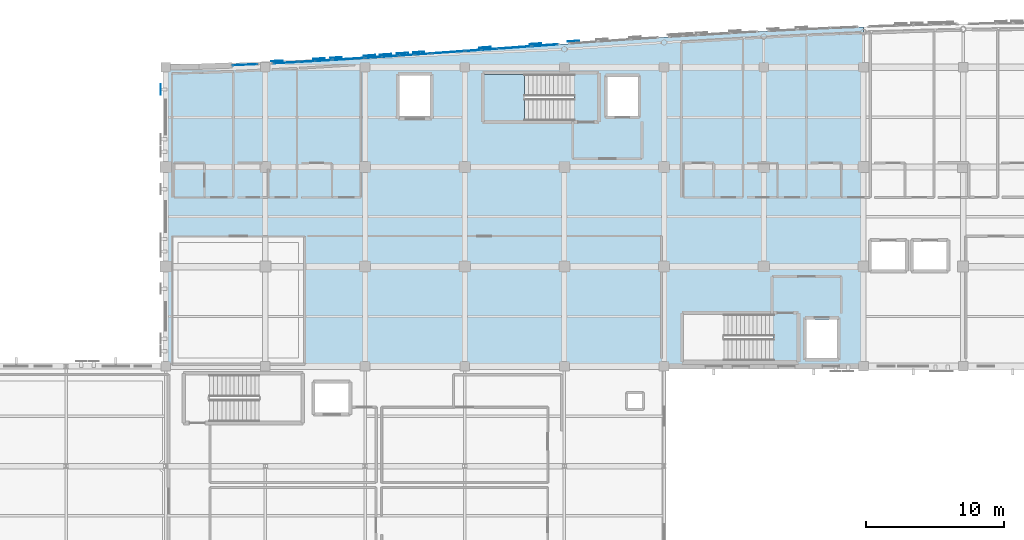
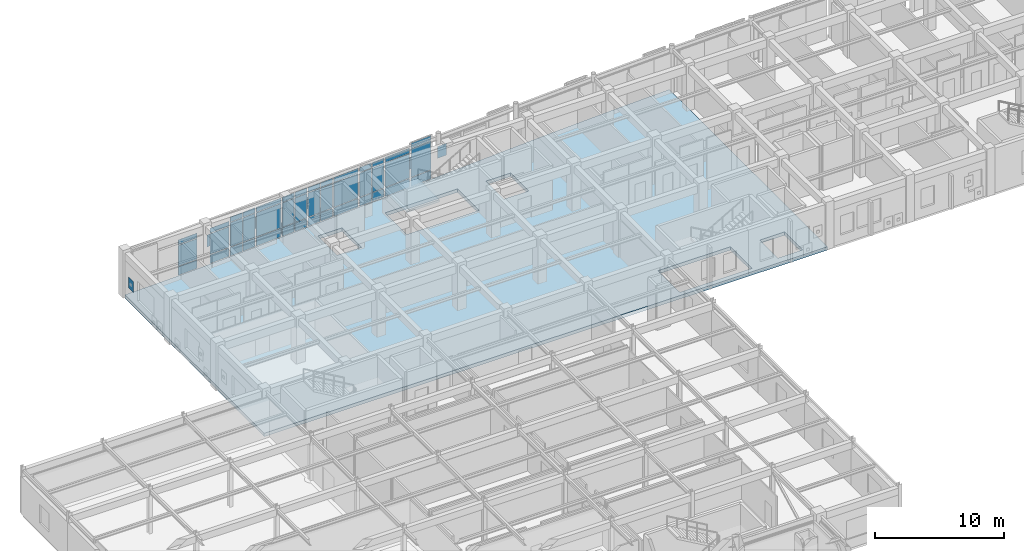
# One storey, part 63 of 106: 53 plates, 2 slabs, 11 elements without a shape of their own.
"""IFC4 building model written with IfcOpenShell, lengths in metres."""

from ifc_helpers import new_model, si_unit, direction, frame, origin, origin_2d, place, context, subcontext, project, spatial, polyline, rectangle, outline, extrude, material, layer, layer_set, type_object, element, aggregate, save


model = new_model("IFC4")

# Units and contexts
model_context = context("Model", 3, precision=1e-05, world=origin(), true_north=direction((0.0, 1.0)))
body_context = subcontext(model_context, "Body", "Model", "MODEL_VIEW")
ifc_project = project(units=[si_unit("LENGTHUNIT", "METRE"), si_unit("AREAUNIT", "SQUARE_METRE"), si_unit("VOLUMEUNIT", "CUBIC_METRE"), si_unit("PLANEANGLEUNIT", "RADIAN"), si_unit("MASSUNIT", "GRAM", prefix="KILO")], contexts=[model_context])

# Site, building, storey
site_placement = place(None, origin())
site = spatial("IfcSite", under=ifc_project, at=site_placement, CompositionType="ELEMENT")
building_placement = place(site_placement, origin())
building = spatial("IfcBuilding", under=site, at=building_placement, Name="Carrowvane Square Congress Hotel", CompositionType="ELEMENT")
storey_placement = place(building_placement, frame((0.0, 0.0, 10.5)))
storey = spatial("IfcBuildingStorey", under=building, at=storey_placement, Name="L02", CompositionType="ELEMENT", Elevation=10.5)

# Curtain wall, plates
ifc_material_1 = material(Name="Anodised aluminium", Category="aluminium")
ifc_layer_1 = layer(ifc_material_1, 0.18603515625)
ifc_layer_set_1 = layer_set([ifc_layer_1], Name="Anodised aluminium")
curtain_wall_type_1 = type_object("IfcCurtainWallType", Name="CW-SYS-3", PredefinedType="NOTDEFINED", material=ifc_layer_set_1)
curtain_wall_1_placement = place(storey_placement, origin())
curtain_wall_1 = element("IfcCurtainWall", 1, at=curtain_wall_1_placement, inside=storey, type_object=curtain_wall_type_1, Name="L02 unitised curtain wall 130", PredefinedType="NOTDEFINED")
ifc_material_2 = material(Name="Double-glazed low-E glass", Category="glass")
ifc_layer_2 = layer(ifc_material_2, 0.028076171875)
ifc_layer_set_2 = layer_set([ifc_layer_2], Name="Double-glazed low-E glass")
plate_type_1 = type_object("IfcPlateType", Name="CW-PAN-1", PredefinedType="CURTAIN_PANEL", material=ifc_layer_set_2)
plate_1_placement = place(storey_placement, frame((38.927734375, 113.584228515625, 0.06005859375), z_axis=(0.0, 0.0, 1.0), x_axis=(0.998917498926, 0.04651698979, 0.0)))
plate_1 = element("IfcPlate", 2, at=plate_1_placement, type_object=plate_type_1, Name="CW-3 panel 1.1", PredefinedType="CURTAIN_PANEL", context=body_context, shape_type="SweptSolid", body=[
    extrude(rectangle(XDim=1.737548828125, YDim=0.028076171875, at=origin_2d()), origin(), (0.0, 0.0, 1.0), 0.81005859375),
])
plate_2_placement = place(storey_placement, frame((38.927734375, 113.584228515625, 0.93017578125), z_axis=(0.0, 0.0, 1.0), x_axis=(0.998917498926, 0.04651698979, 0.0)))
plate_2 = element("IfcPlate", 3, at=plate_2_placement, type_object=plate_type_1, Name="CW-3 panel 1.2", PredefinedType="CURTAIN_PANEL", context=body_context, shape_type="SweptSolid", body=[
    extrude(rectangle(XDim=1.737548828125, YDim=0.028076171875, at=origin_2d()), origin(), (0.0, 0.0, 1.0), 1.945068359375),
])
plate_3_placement = place(storey_placement, frame((38.927734375, 113.584228515625, 2.93505859375), z_axis=(0.0, 0.0, 1.0), x_axis=(0.998917498926, 0.04651698979, 0.0)))
plate_3 = element("IfcPlate", 4, at=plate_3_placement, type_object=plate_type_1, Name="CW-3 panel 1.3", PredefinedType="CURTAIN_PANEL", context=body_context, shape_type="SweptSolid", body=[
    extrude(rectangle(XDim=1.737548828125, YDim=0.028076171875, at=origin_2d()), origin(), (0.0, 0.0, 1.0), 0.4599609375),
])
aggregate(curtain_wall_1, [plate_1, plate_2, plate_3])

ifc_material_3 = material(Name="Anodised aluminium", Category="aluminium")
ifc_layer_3 = layer(ifc_material_3, 0.24609375)
ifc_layer_set_3 = layer_set([ifc_layer_3], Name="Anodised aluminium")
curtain_wall_type_2 = type_object("IfcCurtainWallType", Name="CW-SYS-8", PredefinedType="NOTDEFINED", material=ifc_layer_set_3)
curtain_wall_2_placement = place(storey_placement, origin())
curtain_wall_2 = element("IfcCurtainWall", 5, at=curtain_wall_2_placement, inside=storey, type_object=curtain_wall_type_2, Name="L02 unitised curtain wall 135", PredefinedType="NOTDEFINED")
plate_4_placement = place(storey_placement, frame((50.617431640625, 114.278076171875, 0.070068359375), z_axis=(0.0, 0.0, 1.0), x_axis=(0.997617619706, 0.068986120725, 0.0)))
plate_4 = element("IfcPlate", 6, at=plate_4_placement, type_object=plate_type_1, Name="CW-8 panel 1.1", PredefinedType="CURTAIN_PANEL", context=body_context, shape_type="SweptSolid", body=[
    extrude(rectangle(XDim=1.097900390625, YDim=0.028076171875, at=origin_2d()), origin(), (0.0, 0.0, 1.0), 0.794921875),
])
plate_5_placement = place(storey_placement, frame((50.617431640625, 114.278076171875, 0.93505859375), z_axis=(0.0, 0.0, 1.0), x_axis=(0.997617619706, 0.068986120725, 0.0)))
plate_5 = element("IfcPlate", 7, at=plate_5_placement, type_object=plate_type_1, Name="CW-8 panel 1.2", PredefinedType="CURTAIN_PANEL", context=body_context, shape_type="SweptSolid", body=[
    extrude(rectangle(XDim=1.097900390625, YDim=0.028076171875, at=origin_2d()), origin(), (0.0, 0.0, 1.0), 2.275634765625),
])
plate_6_placement = place(storey_placement, frame((50.617431640625, 114.278076171875, 3.28076171875), z_axis=(0.0, 0.0, 1.0), x_axis=(0.997617619706, 0.068986120725, 0.0)))
plate_6 = element("IfcPlate", 8, at=plate_6_placement, type_object=plate_type_1, Name="CW-8 panel 1.3", PredefinedType="CURTAIN_PANEL", context=body_context, shape_type="SweptSolid", body=[
    extrude(rectangle(XDim=1.097900390625, YDim=0.028076171875, at=origin_2d()), origin(), (0.0, 0.0, 1.0), 0.445068359375),
])
plate_7_placement = place(storey_placement, frame((51.782470703125, 114.358642578125, 0.070068359375), z_axis=(0.0, 0.0, 1.0), x_axis=(0.997617619706, 0.068986120725, 0.0)))
plate_7 = element("IfcPlate", 9, at=plate_7_placement, type_object=plate_type_1, Name="CW-8 panel 2.1", PredefinedType="CURTAIN_PANEL", context=body_context, shape_type="SweptSolid", body=[
    extrude(rectangle(XDim=1.097900390625, YDim=0.028076171875, at=origin_2d()), origin(), (0.0, 0.0, 1.0), 0.794921875),
])
plate_8_placement = place(storey_placement, frame((51.782470703125, 114.358642578125, 0.93505859375), z_axis=(0.0, 0.0, 1.0), x_axis=(0.997617619706, 0.068986120725, 0.0)))
plate_8 = element("IfcPlate", 10, at=plate_8_placement, type_object=plate_type_1, Name="CW-8 panel 2.2", PredefinedType="CURTAIN_PANEL", context=body_context, shape_type="SweptSolid", body=[
    extrude(rectangle(XDim=1.097900390625, YDim=0.028076171875, at=origin_2d()), origin(), (0.0, 0.0, 1.0), 2.275634765625),
])
plate_9_placement = place(storey_placement, frame((51.782470703125, 114.358642578125, 3.28076171875), z_axis=(0.0, 0.0, 1.0), x_axis=(0.997617619706, 0.068986120725, 0.0)))
plate_9 = element("IfcPlate", 11, at=plate_9_placement, type_object=plate_type_1, Name="CW-8 panel 2.3", PredefinedType="CURTAIN_PANEL", context=body_context, shape_type="SweptSolid", body=[
    extrude(rectangle(XDim=1.097900390625, YDim=0.028076171875, at=origin_2d()), origin(), (0.0, 0.0, 1.0), 0.445068359375),
])
aggregate(curtain_wall_2, [plate_4, plate_5, plate_6, plate_7, plate_8, plate_9])

ifc_material_4 = material(Name="Anodised aluminium", Category="aluminium")
ifc_layer_4 = layer(ifc_material_4, 0.197998046875)
ifc_layer_set_4 = layer_set([ifc_layer_4], Name="Anodised aluminium")
curtain_wall_type_3 = type_object("IfcCurtainWallType", Name="CW-SYS-4", PredefinedType="NOTDEFINED", material=ifc_layer_set_4)
curtain_wall_3_placement = place(storey_placement, origin())
curtain_wall_3 = element("IfcCurtainWall", 12, at=curtain_wall_3_placement, inside=storey, type_object=curtain_wall_type_3, Name="L02 unitised curtain wall 131", PredefinedType="NOTDEFINED")
ifc_material_5 = material(Name="Double-glazed low-E glass", Category="glass")
ifc_layer_5 = layer(ifc_material_5, 0.031982421875)
ifc_layer_set_5 = layer_set([ifc_layer_5], Name="Double-glazed low-E glass")
plate_type_2 = type_object("IfcPlateType", Name="CW-PAN-2", PredefinedType="CURTAIN_PANEL", material=ifc_layer_set_5)
plate_10_placement = place(storey_placement, frame((41.859619140625, 113.73095703125, 0.070068359375), z_axis=(0.0, 0.0, 1.0), x_axis=(0.998567068588, 0.053514573083, 0.0)))
plate_10 = element("IfcPlate", 13, at=plate_10_placement, type_object=plate_type_2, Name="CW-4 panel 1.1", PredefinedType="CURTAIN_PANEL", context=body_context, shape_type="SweptSolid", body=[
    extrude(rectangle(XDim=1.74365234375, YDim=0.031982421875, at=origin_2d()), origin(), (0.0, 0.0, 1.0), 0.794921875),
])
plate_11_placement = place(storey_placement, frame((41.859619140625, 113.73095703125, 0.93505859375), z_axis=(0.0, 0.0, 1.0), x_axis=(0.998567068588, 0.053514573083, 0.0)))
plate_11 = element("IfcPlate", 14, at=plate_11_placement, type_object=plate_type_2, Name="CW-4 panel 1.2", PredefinedType="CURTAIN_PANEL", context=body_context, shape_type="SweptSolid", body=[
    extrude(rectangle(XDim=1.74365234375, YDim=0.031982421875, at=origin_2d()), origin(), (0.0, 0.0, 1.0), 1.93505859375),
])
plate_12_placement = place(storey_placement, frame((41.859619140625, 113.73095703125, 2.93994140625), z_axis=(0.0, 0.0, 1.0), x_axis=(0.998567068588, 0.053514573083, 0.0)))
plate_12 = element("IfcPlate", 15, at=plate_12_placement, type_object=plate_type_2, Name="CW-4 panel 1.3", PredefinedType="CURTAIN_PANEL", context=body_context, shape_type="SweptSolid", body=[
    extrude(rectangle(XDim=1.74365234375, YDim=0.031982421875, at=origin_2d()), origin(), (0.0, 0.0, 1.0), 0.445068359375),
])
aggregate(curtain_wall_3, [plate_10, plate_11, plate_12])

ifc_material_6 = material(Name="Anodised aluminium", Category="aluminium")
ifc_layer_6 = layer(ifc_material_6, 0.162109375)
ifc_layer_set_6 = layer_set([ifc_layer_6], Name="Anodised aluminium")
curtain_wall_type_4 = type_object("IfcCurtainWallType", Name="CW-SYS-1", PredefinedType="NOTDEFINED", material=ifc_layer_set_6)
curtain_wall_4_placement = place(storey_placement, origin())
curtain_wall_4 = element("IfcCurtainWall", 16, at=curtain_wall_4_placement, inside=storey, type_object=curtain_wall_type_4, Name="L02 unitised curtain wall 136", PredefinedType="NOTDEFINED")
plate_13_placement = place(storey_placement, frame((53.60009765625, 114.486328125, 0.06005859375), z_axis=(0.0, 0.0, 1.0), x_axis=(0.997505697746, 0.070585996942, 0.0)))
plate_13 = element("IfcPlate", 17, at=plate_13_placement, type_object=plate_type_2, Name="CW-1 panel 1.1", PredefinedType="CURTAIN_PANEL", context=body_context, shape_type="SweptSolid", body=[
    extrude(rectangle(XDim=2.285888671875, YDim=0.031982421875, at=origin_2d()), origin(), (0.0, 0.0, 1.0), 0.81005859375),
])
plate_14_placement = place(storey_placement, frame((53.60009765625, 114.486328125, 0.929931640625), z_axis=(0.0, 0.0, 1.0), x_axis=(0.997505697746, 0.070585996942, 0.0)))
plate_14 = element("IfcPlate", 18, at=plate_14_placement, type_object=plate_type_2, Name="CW-1 panel 1.2", PredefinedType="CURTAIN_PANEL", context=body_context, shape_type="SweptSolid", body=[
    extrude(rectangle(XDim=2.285888671875, YDim=0.031982421875, at=origin_2d()), origin(), (0.0, 0.0, 1.0), 2.28564453125),
])
plate_15_placement = place(storey_placement, frame((53.60009765625, 114.486328125, 3.275634765625), z_axis=(0.0, 0.0, 1.0), x_axis=(0.997505697746, 0.070585996942, 0.0)))
plate_15 = element("IfcPlate", 19, at=plate_15_placement, type_object=plate_type_2, Name="CW-1 panel 1.3", PredefinedType="CURTAIN_PANEL", context=body_context, shape_type="SweptSolid", body=[
    extrude(rectangle(XDim=2.285888671875, YDim=0.031982421875, at=origin_2d()), origin(), (0.0, 0.0, 1.0), 0.4599609375),
])
aggregate(curtain_wall_4, [plate_13, plate_14, plate_15])

ifc_material_7 = material(Name="Anodised aluminium", Category="aluminium")
ifc_layer_7 = layer(ifc_material_7, 0.2099609375)
ifc_layer_set_7 = layer_set([ifc_layer_7], Name="Anodised aluminium")
curtain_wall_type_5 = type_object("IfcCurtainWallType", Name="CW-SYS-5", PredefinedType="NOTDEFINED", material=ifc_layer_set_7)
curtain_wall_5_placement = place(storey_placement, origin())
curtain_wall_5 = element("IfcCurtainWall", 20, at=curtain_wall_5_placement, inside=storey, type_object=curtain_wall_type_5, Name="L02 unitised curtain wall 132", PredefinedType="NOTDEFINED")
ifc_material_8 = material(Name="Double-glazed low-E glass", Category="glass")
ifc_layer_8 = layer(ifc_material_8, 0.035888671875)
ifc_layer_set_8 = layer_set([ifc_layer_8], Name="Double-glazed low-E glass")
plate_type_3 = type_object("IfcPlateType", Name="CW-PAN-3", PredefinedType="CURTAIN_PANEL", material=ifc_layer_set_8)
plate_16_placement = place(storey_placement, frame((43.4150390625, 113.817626953125, 0.06005859375), z_axis=(0.0, 0.0, 1.0), x_axis=(0.99825866099, 0.058988522254, 0.0)))
plate_16 = element("IfcPlate", 21, at=plate_16_placement, type_object=plate_type_3, Name="CW-5 panel 1.1", PredefinedType="CURTAIN_PANEL", context=body_context, shape_type="SweptSolid", body=[
    extrude(rectangle(XDim=1.112060546875, YDim=0.035888671875, at=origin_2d()), origin(), (0.0, 0.0, 1.0), 0.81005859375),
])
plate_17_placement = place(storey_placement, frame((43.4150390625, 113.817626953125, 0.929931640625), z_axis=(0.0, 0.0, 1.0), x_axis=(0.99825866099, 0.058988522254, 0.0)))
plate_17 = element("IfcPlate", 22, at=plate_17_placement, type_object=plate_type_3, Name="CW-5 panel 1.2", PredefinedType="CURTAIN_PANEL", context=body_context, shape_type="SweptSolid", body=[
    extrude(rectangle(XDim=1.112060546875, YDim=0.035888671875, at=origin_2d()), origin(), (0.0, 0.0, 1.0), 2.28564453125),
])
plate_18_placement = place(storey_placement, frame((43.4150390625, 113.817626953125, 3.275634765625), z_axis=(0.0, 0.0, 1.0), x_axis=(0.99825866099, 0.058988522254, 0.0)))
plate_18 = element("IfcPlate", 23, at=plate_18_placement, type_object=plate_type_3, Name="CW-5 panel 1.3", PredefinedType="CURTAIN_PANEL", context=body_context, shape_type="SweptSolid", body=[
    extrude(rectangle(XDim=1.112060546875, YDim=0.035888671875, at=origin_2d()), origin(), (0.0, 0.0, 1.0), 0.4599609375),
])
plate_19_placement = place(storey_placement, frame((44.5849609375, 113.88671875, 0.06005859375), z_axis=(0.0, 0.0, 1.0), x_axis=(0.99825866099, 0.058988522254, 0.0)))
plate_19 = element("IfcPlate", 24, at=plate_19_placement, type_object=plate_type_3, Name="CW-5 panel 2.1", PredefinedType="CURTAIN_PANEL", context=body_context, shape_type="SweptSolid", body=[
    extrude(rectangle(XDim=1.112060546875, YDim=0.035888671875, at=origin_2d()), origin(), (0.0, 0.0, 1.0), 0.81005859375),
])
plate_20_placement = place(storey_placement, frame((44.5849609375, 113.88671875, 0.929931640625), z_axis=(0.0, 0.0, 1.0), x_axis=(0.99825866099, 0.058988522254, 0.0)))
plate_20 = element("IfcPlate", 25, at=plate_20_placement, type_object=plate_type_3, Name="CW-5 panel 2.2", PredefinedType="CURTAIN_PANEL", context=body_context, shape_type="SweptSolid", body=[
    extrude(rectangle(XDim=1.112060546875, YDim=0.035888671875, at=origin_2d()), origin(), (0.0, 0.0, 1.0), 2.28564453125),
])
plate_21_placement = place(storey_placement, frame((44.5849609375, 113.88671875, 3.275634765625), z_axis=(0.0, 0.0, 1.0), x_axis=(0.99825866099, 0.058988522254, 0.0)))
plate_21 = element("IfcPlate", 26, at=plate_21_placement, type_object=plate_type_3, Name="CW-5 panel 2.3", PredefinedType="CURTAIN_PANEL", context=body_context, shape_type="SweptSolid", body=[
    extrude(rectangle(XDim=1.112060546875, YDim=0.035888671875, at=origin_2d()), origin(), (0.0, 0.0, 1.0), 0.4599609375),
])
aggregate(curtain_wall_5, [plate_16, plate_17, plate_18, plate_19, plate_20, plate_21])

ifc_material_9 = material(Name="Anodised aluminium", Category="aluminium")
ifc_layer_9 = layer(ifc_material_9, 0.174072265625)
ifc_layer_set_9 = layer_set([ifc_layer_9], Name="Anodised aluminium")
curtain_wall_type_6 = type_object("IfcCurtainWallType", Name="CW-SYS-2", PredefinedType="NOTDEFINED", material=ifc_layer_set_9)
curtain_wall_6_placement = place(storey_placement, origin())
curtain_wall_6 = element("IfcCurtainWall", 27, at=curtain_wall_6_placement, inside=storey, type_object=curtain_wall_type_6, Name="L02 unitised curtain wall 137", PredefinedType="NOTDEFINED")
plate_22_placement = place(storey_placement, frame((55.41748046875, 114.615478515625, 0.070068359375), z_axis=(0.0, 0.0, 1.0), x_axis=(0.997446448898, 0.071418356042, 0.0)))
plate_22 = element("IfcPlate", 28, at=plate_22_placement, type_object=plate_type_3, Name="CW-2 panel 1.1", PredefinedType="CURTAIN_PANEL", context=body_context, shape_type="SweptSolid", body=[
    extrude(rectangle(XDim=1.09814453125, YDim=0.035888671875, at=origin_2d()), origin(), (0.0, 0.0, 1.0), 0.794921875),
])
plate_23_placement = place(storey_placement, frame((55.41748046875, 114.615478515625, 0.93505859375), z_axis=(0.0, 0.0, 1.0), x_axis=(0.997446448898, 0.071418356042, 0.0)))
plate_23 = element("IfcPlate", 29, at=plate_23_placement, type_object=plate_type_3, Name="CW-2 panel 1.2", PredefinedType="CURTAIN_PANEL", context=body_context, shape_type="SweptSolid", body=[
    extrude(rectangle(XDim=1.09814453125, YDim=0.035888671875, at=origin_2d()), origin(), (0.0, 0.0, 1.0), 2.275634765625),
])
plate_24_placement = place(storey_placement, frame((55.41748046875, 114.615478515625, 3.28076171875), z_axis=(0.0, 0.0, 1.0), x_axis=(0.997446448898, 0.071418356042, 0.0)))
plate_24 = element("IfcPlate", 30, at=plate_24_placement, type_object=plate_type_3, Name="CW-2 panel 1.3", PredefinedType="CURTAIN_PANEL", context=body_context, shape_type="SweptSolid", body=[
    extrude(rectangle(XDim=1.09814453125, YDim=0.035888671875, at=origin_2d()), origin(), (0.0, 0.0, 1.0), 0.445068359375),
])
plate_25_placement = place(storey_placement, frame((56.58251953125, 114.698974609375, 0.070068359375), z_axis=(0.0, 0.0, 1.0), x_axis=(0.997446448898, 0.071418356042, 0.0)))
plate_25 = element("IfcPlate", 31, at=plate_25_placement, type_object=plate_type_3, Name="CW-2 panel 2.1", PredefinedType="CURTAIN_PANEL", context=body_context, shape_type="SweptSolid", body=[
    extrude(rectangle(XDim=1.09814453125, YDim=0.035888671875, at=origin_2d()), origin(), (0.0, 0.0, 1.0), 0.794921875),
])
plate_26_placement = place(storey_placement, frame((56.58251953125, 114.698974609375, 0.93505859375), z_axis=(0.0, 0.0, 1.0), x_axis=(0.997446448898, 0.071418356042, 0.0)))
plate_26 = element("IfcPlate", 32, at=plate_26_placement, type_object=plate_type_3, Name="CW-2 panel 2.2", PredefinedType="CURTAIN_PANEL", context=body_context, shape_type="SweptSolid", body=[
    extrude(rectangle(XDim=1.09814453125, YDim=0.035888671875, at=origin_2d()), origin(), (0.0, 0.0, 1.0), 2.275634765625),
])
plate_27_placement = place(storey_placement, frame((56.58251953125, 114.698974609375, 3.28076171875), z_axis=(0.0, 0.0, 1.0), x_axis=(0.997446448898, 0.071418356042, 0.0)))
plate_27 = element("IfcPlate", 33, at=plate_27_placement, type_object=plate_type_3, Name="CW-2 panel 2.3", PredefinedType="CURTAIN_PANEL", context=body_context, shape_type="SweptSolid", body=[
    extrude(rectangle(XDim=1.09814453125, YDim=0.035888671875, at=origin_2d()), origin(), (0.0, 0.0, 1.0), 0.445068359375),
])
aggregate(curtain_wall_6, [plate_22, plate_23, plate_24, plate_25, plate_26, plate_27])

ifc_material_10 = material(Name="Anodised aluminium", Category="aluminium")
ifc_layer_10 = layer(ifc_material_10, 0.221923828125)
ifc_layer_set_10 = layer_set([ifc_layer_10], Name="Anodised aluminium")
curtain_wall_type_7 = type_object("IfcCurtainWallType", Name="CW-SYS-6", PredefinedType="NOTDEFINED", material=ifc_layer_set_10)
curtain_wall_7_placement = place(storey_placement, origin())
curtain_wall_7 = element("IfcCurtainWall", 34, at=curtain_wall_7_placement, inside=storey, type_object=curtain_wall_type_7, Name="L02 unitised curtain wall 133", PredefinedType="NOTDEFINED")
ifc_material_11 = material(Name="Double-glazed low-E glass", Category="glass")
ifc_layer_11 = layer(ifc_material_11, 0.0419921875)
ifc_layer_set_11 = layer_set([ifc_layer_11], Name="Double-glazed low-E glass")
plate_type_4 = type_object("IfcPlateType", Name="CW-PAN-4", PredefinedType="CURTAIN_PANEL", material=ifc_layer_set_11)
plate_28_placement = place(storey_placement, frame((46.39990234375, 113.999267578125, 0.070068359375), z_axis=(0.0, 0.0, 1.0), x_axis=(0.997996225303, 0.063273487972, 0.0)))
plate_28 = element("IfcPlate", 35, at=plate_28_placement, type_object=plate_type_4, Name="CW-6 panel 1.1", PredefinedType="CURTAIN_PANEL", context=body_context, shape_type="SweptSolid", body=[
    extrude(rectangle(XDim=2.264892578125, YDim=0.0419921875, at=origin_2d()), origin(), (0.0, 0.0, 1.0), 0.794921875),
])
plate_29_placement = place(storey_placement, frame((46.39990234375, 113.999267578125, 0.93505859375), z_axis=(0.0, 0.0, 1.0), x_axis=(0.997996225303, 0.063273487972, 0.0)))
plate_29 = element("IfcPlate", 36, at=plate_29_placement, type_object=plate_type_4, Name="CW-6 panel 1.2", PredefinedType="CURTAIN_PANEL", context=body_context, shape_type="SweptSolid", body=[
    extrude(rectangle(XDim=2.264892578125, YDim=0.0419921875, at=origin_2d()), origin(), (0.0, 0.0, 1.0), 2.275634765625),
])
plate_30_placement = place(storey_placement, frame((46.39990234375, 113.999267578125, 3.28076171875), z_axis=(0.0, 0.0, 1.0), x_axis=(0.997996225303, 0.063273487972, 0.0)))
plate_30 = element("IfcPlate", 37, at=plate_30_placement, type_object=plate_type_4, Name="CW-6 panel 1.3", PredefinedType="CURTAIN_PANEL", context=body_context, shape_type="SweptSolid", body=[
    extrude(rectangle(XDim=2.264892578125, YDim=0.0419921875, at=origin_2d()), origin(), (0.0, 0.0, 1.0), 0.445068359375),
])
aggregate(curtain_wall_7, [plate_28, plate_29, plate_30])

curtain_wall_8_placement = place(storey_placement, origin())
curtain_wall_8 = element("IfcCurtainWall", 38, at=curtain_wall_8_placement, inside=storey, type_object=curtain_wall_type_1, Name="L02 unitised curtain wall 138", PredefinedType="NOTDEFINED")
plate_31_placement = place(storey_placement, frame((58.39990234375, 114.8291015625, 0.06005859375), z_axis=(0.0, 0.0, 1.0), x_axis=(0.997438322595, 0.071531759512, 0.0)))
plate_31 = element("IfcPlate", 39, at=plate_31_placement, type_object=plate_type_4, Name="CW-3 panel 1.1", PredefinedType="CURTAIN_PANEL", context=body_context, shape_type="SweptSolid", body=[
    extrude(rectangle(XDim=2.2861328125, YDim=0.0419921875, at=origin_2d()), origin(), (0.0, 0.0, 1.0), 0.81005859375),
])
plate_32_placement = place(storey_placement, frame((58.39990234375, 114.8291015625, 0.929931640625), z_axis=(0.0, 0.0, 1.0), x_axis=(0.997438322595, 0.071531759512, 0.0)))
plate_32 = element("IfcPlate", 40, at=plate_32_placement, type_object=plate_type_4, Name="CW-3 panel 1.2", PredefinedType="CURTAIN_PANEL", context=body_context, shape_type="SweptSolid", body=[
    extrude(rectangle(XDim=2.2861328125, YDim=0.0419921875, at=origin_2d()), origin(), (0.0, 0.0, 1.0), 2.28564453125),
])
plate_33_placement = place(storey_placement, frame((58.39990234375, 114.8291015625, 3.275634765625), z_axis=(0.0, 0.0, 1.0), x_axis=(0.997438322595, 0.071531759512, 0.0)))
plate_33 = element("IfcPlate", 41, at=plate_33_placement, type_object=plate_type_4, Name="CW-3 panel 1.3", PredefinedType="CURTAIN_PANEL", context=body_context, shape_type="SweptSolid", body=[
    extrude(rectangle(XDim=2.2861328125, YDim=0.0419921875, at=origin_2d()), origin(), (0.0, 0.0, 1.0), 0.4599609375),
])
aggregate(curtain_wall_8, [plate_31, plate_32, plate_33])

ifc_material_12 = material(Name="Anodised aluminium", Category="aluminium")
ifc_layer_12 = layer(ifc_material_12, 0.23388671875)
ifc_layer_set_12 = layer_set([ifc_layer_12], Name="Anodised aluminium")
curtain_wall_type_8 = type_object("IfcCurtainWallType", Name="CW-SYS-7", PredefinedType="NOTDEFINED", material=ifc_layer_set_12)
curtain_wall_9_placement = place(storey_placement, origin())
curtain_wall_9 = element("IfcCurtainWall", 42, at=curtain_wall_9_placement, inside=storey, type_object=curtain_wall_type_8, Name="L02 unitised curtain wall 134", PredefinedType="NOTDEFINED")
ifc_material_13 = material(Name="Double-glazed low-E glass", Category="glass")
ifc_layer_13 = layer(ifc_material_13, 0.048095703125)
ifc_layer_set_13 = layer_set([ifc_layer_13], Name="Double-glazed low-E glass")
plate_type_5 = type_object("IfcPlateType", Name="CW-PAN-5", PredefinedType="CURTAIN_PANEL", material=ifc_layer_set_13)
plate_34_placement = place(storey_placement, frame((48.21484375, 114.116455078125, 0.06005859375), z_axis=(0.0, 0.0, 1.0), x_axis=(0.99778121937, 0.066578061501, 0.0)))
plate_34 = element("IfcPlate", 43, at=plate_34_placement, type_object=plate_type_5, Name="CW-7 panel 1.1", PredefinedType="CURTAIN_PANEL", context=body_context, shape_type="SweptSolid", body=[
    extrude(rectangle(XDim=1.112548828125, YDim=0.048095703125, at=origin_2d()), origin(), (0.0, 0.0, 1.0), 0.81005859375),
])
plate_35_placement = place(storey_placement, frame((48.21484375, 114.116455078125, 0.929931640625), z_axis=(0.0, 0.0, 1.0), x_axis=(0.99778121937, 0.066578061501, 0.0)))
plate_35 = element("IfcPlate", 44, at=plate_35_placement, type_object=plate_type_5, Name="CW-7 panel 1.2", PredefinedType="CURTAIN_PANEL", context=body_context, shape_type="SweptSolid", body=[
    extrude(rectangle(XDim=1.112548828125, YDim=0.048095703125, at=origin_2d()), origin(), (0.0, 0.0, 1.0), 2.28564453125),
])
plate_36_placement = place(storey_placement, frame((48.21484375, 114.116455078125, 3.275634765625), z_axis=(0.0, 0.0, 1.0), x_axis=(0.99778121937, 0.066578061501, 0.0)))
plate_36 = element("IfcPlate", 45, at=plate_36_placement, type_object=plate_type_5, Name="CW-7 panel 1.3", PredefinedType="CURTAIN_PANEL", context=body_context, shape_type="SweptSolid", body=[
    extrude(rectangle(XDim=1.112548828125, YDim=0.048095703125, at=origin_2d()), origin(), (0.0, 0.0, 1.0), 0.4599609375),
])
plate_37_placement = place(storey_placement, frame((49.385009765625, 114.1943359375, 0.06005859375), z_axis=(0.0, 0.0, 1.0), x_axis=(0.99778121937, 0.066578061501, 0.0)))
plate_37 = element("IfcPlate", 46, at=plate_37_placement, type_object=plate_type_5, Name="CW-7 panel 2.1", PredefinedType="CURTAIN_PANEL", context=body_context, shape_type="SweptSolid", body=[
    extrude(rectangle(XDim=1.112548828125, YDim=0.048095703125, at=origin_2d()), origin(), (0.0, 0.0, 1.0), 0.81005859375),
])
plate_38_placement = place(storey_placement, frame((49.385009765625, 114.1943359375, 0.929931640625), z_axis=(0.0, 0.0, 1.0), x_axis=(0.99778121937, 0.066578061501, 0.0)))
plate_38 = element("IfcPlate", 47, at=plate_38_placement, type_object=plate_type_5, Name="CW-7 panel 2.2", PredefinedType="CURTAIN_PANEL", context=body_context, shape_type="SweptSolid", body=[
    extrude(rectangle(XDim=1.112548828125, YDim=0.048095703125, at=origin_2d()), origin(), (0.0, 0.0, 1.0), 2.28564453125),
])
plate_39_placement = place(storey_placement, frame((49.385009765625, 114.1943359375, 3.275634765625), z_axis=(0.0, 0.0, 1.0), x_axis=(0.99778121937, 0.066578061501, 0.0)))
plate_39 = element("IfcPlate", 48, at=plate_39_placement, type_object=plate_type_5, Name="CW-7 panel 2.3", PredefinedType="CURTAIN_PANEL", context=body_context, shape_type="SweptSolid", body=[
    extrude(rectangle(XDim=1.112548828125, YDim=0.048095703125, at=origin_2d()), origin(), (0.0, 0.0, 1.0), 0.4599609375),
])
aggregate(curtain_wall_9, [plate_34, plate_35, plate_36, plate_37, plate_38, plate_39])

curtain_wall_10_placement = place(storey_placement, origin())
curtain_wall_10 = element("IfcCurtainWall", 49, at=curtain_wall_10_placement, inside=storey, type_object=curtain_wall_type_3, Name="L02 unitised curtain wall 139", PredefinedType="NOTDEFINED")
plate_40_placement = place(storey_placement, frame((60.5947265625, 114.986083984375, 0.070068359375), z_axis=(0.0, 0.0, 1.0), x_axis=(0.997479146426, 0.070960217342, 0.0)))
plate_40 = element("IfcPlate", 50, at=plate_40_placement, type_object=plate_type_5, Name="CW-4 panel 1.1", PredefinedType="CURTAIN_PANEL", context=body_context, shape_type="SweptSolid", body=[
    extrude(rectangle(XDim=1.8544921875, YDim=0.048095703125, at=origin_2d()), origin(), (0.0, 0.0, 1.0), 0.794921875),
])
plate_41_placement = place(storey_placement, frame((60.5947265625, 114.986083984375, 0.93505859375), z_axis=(0.0, 0.0, 1.0), x_axis=(0.997479146426, 0.070960217342, 0.0)))
plate_41 = element("IfcPlate", 51, at=plate_41_placement, type_object=plate_type_5, Name="CW-4 panel 1.2", PredefinedType="CURTAIN_PANEL", context=body_context, shape_type="SweptSolid", body=[
    extrude(rectangle(XDim=1.8544921875, YDim=0.048095703125, at=origin_2d()), origin(), (0.0, 0.0, 1.0), 2.699951171875),
])
plate_42_placement = place(storey_placement, frame((60.5947265625, 114.986083984375, 3.705078125), z_axis=(0.0, 0.0, 1.0), x_axis=(0.997479146426, 0.070960217342, 0.0)))
plate_42 = element("IfcPlate", 52, at=plate_42_placement, type_object=plate_type_5, Name="CW-4 panel 1.3", PredefinedType="CURTAIN_PANEL", context=body_context, shape_type="SweptSolid", body=[
    extrude(rectangle(XDim=1.8544921875, YDim=0.048095703125, at=origin_2d()), origin(), (0.0, 0.0, 1.0), 0.445068359375),
])
aggregate(curtain_wall_10, [plate_40, plate_41, plate_42])

# Plates
ifc_material_14 = material(Name="Champagne-gold anodised aluminium", Category="aluminium")
ifc_layer_14 = layer(ifc_material_14, 0.011962890625)
ifc_layer_set_14 = layer_set([ifc_layer_14], Name="Champagne-gold anodised aluminium")
plate_type_6 = type_object("IfcPlateType", Name="PLT-PIX-GOLD12", PredefinedType="SHEET", material=ifc_layer_set_14)
plate_43_placement = place(storey_placement, frame((32.833984375, 111.800048828125, 1.52490234375), z_axis=(0.0, 0.0, 1.0), x_axis=(0.0, 1.0, 0.0)))
element("IfcPlate", 53, at=plate_43_placement, inside=storey, type_object=plate_type_6, Name="Champagne-gold pixel screen plate S-93", PredefinedType="SHEET", context=body_context, shape_type="SweptSolid", body=[
    extrude(rectangle(XDim=0.738037109375, YDim=0.011962890625, at=origin_2d()), origin(), (0.0, 0.0, 1.0), 1.050048828125),
])
for number, where, z_axis, x_axis, name in (
    (54, (41.234619140625, 113.86376953125, 1.58984375), (0.0, 0.0, 1.0), (0.998566941363, 0.053516947007, 0.0), "Champagne-gold pixel screen plate 94"),
    (55, (45.513671875, 114.109375, 1.58984375), (0.0, 0.0, 1.0), (0.997996022269, 0.063276690295, 0.0), "Champagne-gold pixel screen plate 96"),
    (56, (50.3125, 114.423583984375, 1.58984375), (0.0, 0.0, 1.0), (0.99761759323, 0.068986503591, 0.0), "Champagne-gold pixel screen plate 99"),
    (57, (51.4775390625, 114.504150390625, 0.119873046875), (0.0, 0.0, 1.0), (0.99761759323, 0.068986503591, 0.0), "Champagne-gold pixel screen plate 100"),
    (58, (56.277099609375, 114.843505859375, 0.119873046875), (0.0, 0.0, 1.0), (0.997446326449, 0.071420066188, 0.0), "Champagne-gold pixel screen plate 101"),
    (59, (59.912109375, 115.103759765625, 1.58984375), (0.0, 0.0, 1.0), (0.997479379392, 0.070956942496, 0.0), "Champagne-gold pixel screen plate 102"),
):
    element("IfcPlate", number, at=place(storey_placement, frame(where, z_axis=z_axis, x_axis=x_axis)), inside=storey, type_object=plate_type_6, Name=name, PredefinedType="SHEET", context=body_context, shape_type="SweptSolid", body=[
        extrude(rectangle(XDim=0.827880859375, YDim=0.011962890625, at=origin_2d()), origin(), (0.0, 0.0, 1.0), 1.1201171875),
    ])
ifc_material_15 = material(Name="Champagne-gold anodised aluminium", Category="aluminium")
ifc_layer_15 = layer(ifc_material_15, 0.008056640625)
ifc_layer_set_15 = layer_set([ifc_layer_15], Name="Champagne-gold anodised aluminium")
plate_type_7 = type_object("IfcPlateType", Name="PLT-PIX-GOLD8", PredefinedType="SHEET", material=ifc_layer_set_15)
for number, where, z_axis, x_axis, name in (
    (60, (44.279541015625, 114.032958984375, 1.58984375), (0.0, 0.0, 1.0), (0.998258866948, 0.05898503675, 0.0), "Champagne-gold pixel screen plate 95"),
    (61, (47.908203125, 114.26025390625, 0.119873046875), (0.0, 0.0, 1.0), (0.997781458784, 0.066574473385, 0.0), "Champagne-gold pixel screen plate 97"),
    (62, (49.078125, 114.33837890625, 0.119873046875), (0.0, 0.0, 1.0), (0.997781458784, 0.066574473385, 0.0), "Champagne-gold pixel screen plate 98"),
    (63, (62.664794921875, 115.296875, 1.58984375), (0.0, 0.0, 1.0), (0.997566258056, 0.069724893606, 0.0), "Champagne-gold pixel screen plate 103"),
):
    element("IfcPlate", number, at=place(storey_placement, frame(where, z_axis=z_axis, x_axis=x_axis)), inside=storey, type_object=plate_type_7, Name=name, PredefinedType="SHEET", context=body_context, shape_type="SweptSolid", body=[
        extrude(rectangle(XDim=0.827880859375, YDim=0.008056640625, at=origin_2d()), origin(), (0.0, 0.0, 1.0), 1.1201171875),
    ])

# Slab
ifc_material_16 = material(Name="Concrete C35/45", Category="concrete")
ifc_layer_16 = layer(ifc_material_16, 0.320068359375)
ifc_layer_set_16 = layer_set([ifc_layer_16], Name="Concrete C35/45")
slab_type_1 = type_object("IfcSlabType", Name="SLB-FLR-320", PredefinedType="FLOOR", material=ifc_layer_set_16)
slab_1_placement = place(storey_placement, frame((0.0, 0.0, -0.320068359375)))
element("IfcSlab", 64, at=slab_1_placement, inside=storey, type_object=slab_type_1, Name="L02 Hotel Wing slab panel 1", PredefinedType="FLOOR", context=body_context, shape_type="SweptSolid", body=[
    extrude(outline(polyline([(33.199951171875, 91.800048828125), (83.60009765625, 91.800048828125), (83.60009765625, 116.323974609375), (81.199951171875, 116.2275390625), (78.800048828125, 116.118408203125), (76.39990234375, 115.99755859375), (74.0, 115.86572265625), (71.60009765625, 115.724365234375), (69.199951171875, 115.57421875), (66.800048828125, 115.4169921875), (64.39990234375, 115.253662109375), (62.0, 115.0859375), (59.60009765625, 114.915283203125), (57.199951171875, 114.7431640625), (54.800048828125, 114.5712890625), (52.39990234375, 114.4013671875), (50.0, 114.235595703125), (47.60009765625, 114.075439453125), (45.199951171875, 113.923095703125), (42.800048828125, 113.78125), (40.39990234375, 113.65283203125), (38.0, 113.541015625), (35.60009765625, 113.45166015625), (33.199951171875, 113.39990234375), (33.199951171875, 91.800048828125)]), holes=[polyline([(62.679931640625, 112.89990234375), (56.199951171875, 112.89990234375), (56.199951171875, 109.5400390625), (62.679931640625, 109.5400390625), (62.679931640625, 112.89990234375)]), polyline([(77.080078125, 95.56005859375), (70.60009765625, 95.56005859375), (70.60009765625, 92.199951171875), (77.080078125, 92.199951171875), (77.080078125, 95.56005859375)]), polyline([(65.10009765625, 109.89990234375), (67.300048828125, 109.89990234375), (67.300048828125, 112.699951171875), (65.10009765625, 112.699951171875), (65.10009765625, 109.89990234375)]), polyline([(79.5, 92.39990234375), (81.699951171875, 92.39990234375), (81.699951171875, 95.199951171875), (79.5, 95.199951171875), (79.5, 92.39990234375)]), polyline([(50.10009765625, 109.800048828125), (52.300048828125, 109.800048828125), (52.300048828125, 112.800048828125), (50.10009765625, 112.800048828125), (50.10009765625, 109.800048828125)])]), origin(), (0.0, 0.0, 1.0), 0.320068359375),
])

# Stair, slab
ifc_material_17 = material(Name="Concrete C35/45", Category="concrete")
stair_type = type_object("IfcStairType", Name="STR-DOG-01", PredefinedType="HALF_TURN_STAIR", material=ifc_material_17)
stair_placement = place(storey_placement, origin())
stair = element("IfcStair", 65, at=stair_placement, inside=storey, type_object=stair_type, Name="L02 Core C1 West Hotel Firefighting Stair", PredefinedType="HALF_TURN_STAIR")
ifc_material_18 = material(Name="Concrete C35/45", Category="concrete")
ifc_layer_17 = layer(ifc_material_18, 0.199951171875)
ifc_layer_set_17 = layer_set([ifc_layer_17], Name="Concrete C35/45")
slab_type_2 = type_object("IfcSlabType", Name="SLB-LND-200", PredefinedType="LANDING", material=ifc_layer_set_17)
slab_2_placement = place(storey_placement, frame((0.0, 0.0, 2.050048828125)))
slab_2 = element("IfcSlab", 66, at=slab_2_placement, type_object=slab_type_2, Name="ST1 landing 1", PredefinedType="LANDING", context=body_context, shape_type="SweptSolid", body=[
    extrude(outline(polyline([(59.1201171875, 112.89990234375), (56.199951171875, 112.89990234375), (56.199951171875, 109.5400390625), (59.1201171875, 109.5400390625), (59.1201171875, 112.89990234375)])), origin(), (0.0, 0.0, 1.0), 0.199951171875),
])
aggregate(stair, [slab_2])

save(model, "model.ifc")
